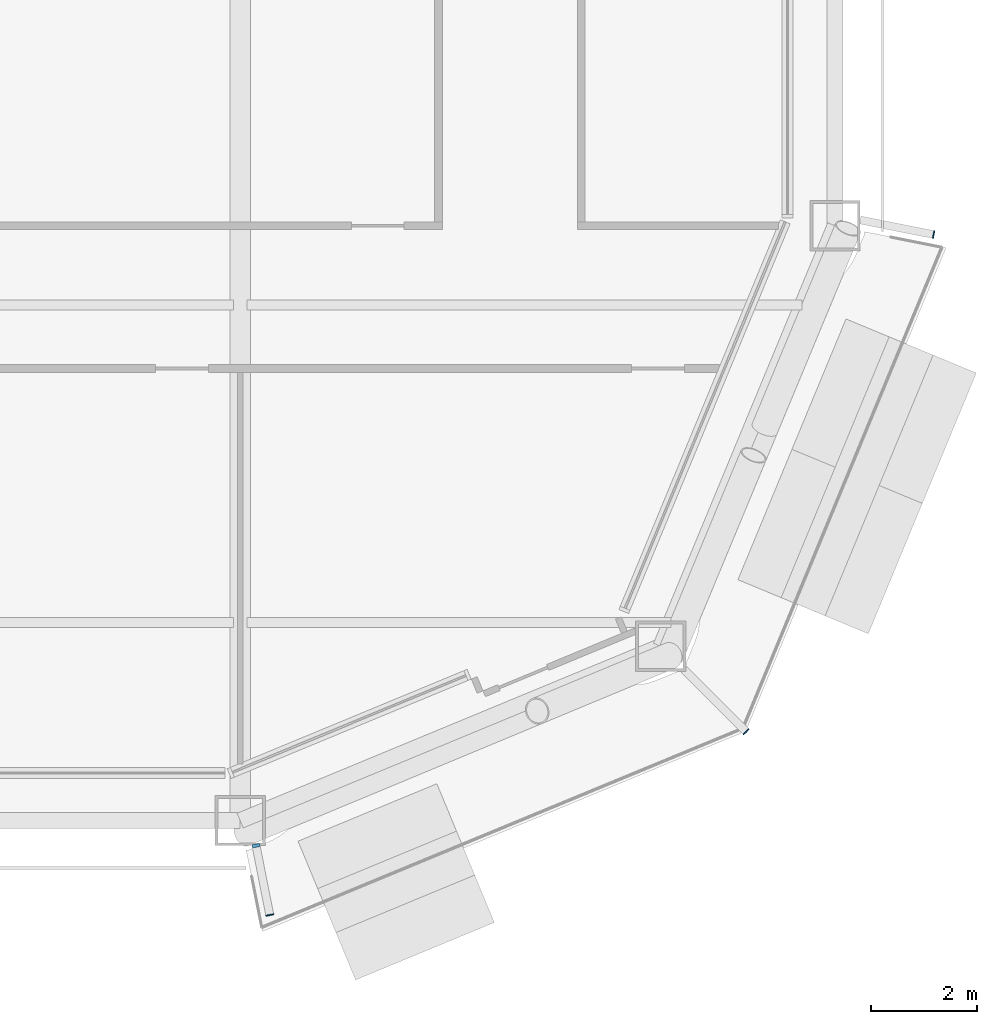
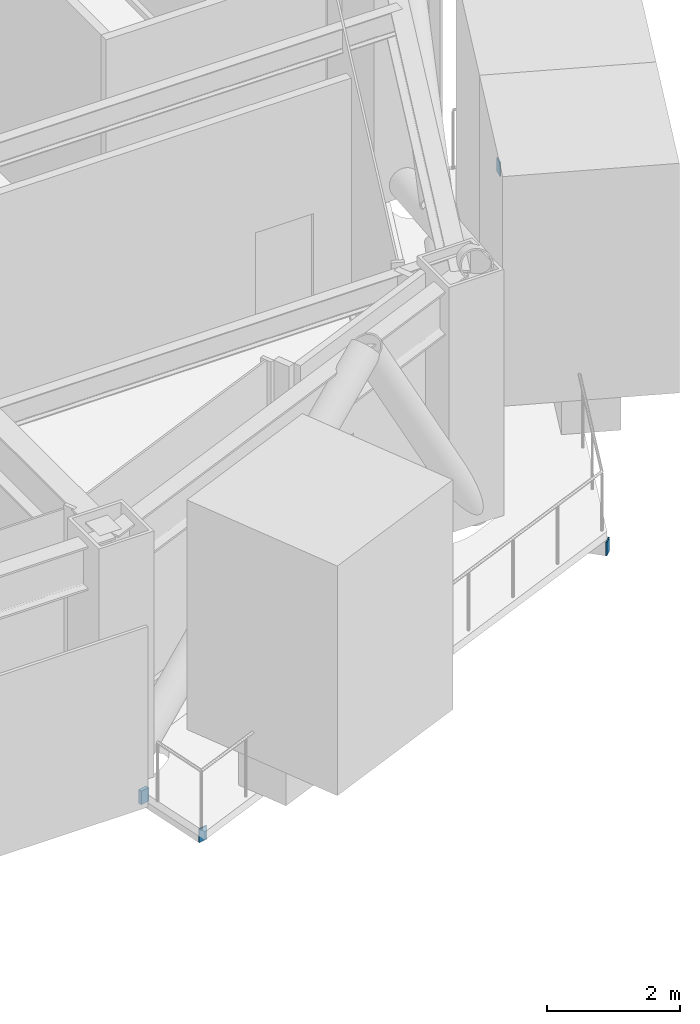
# One storey, part 16 of 23: 4 discrete accessories.
"""IFC4 building model written with IfcOpenShell, lengths in metres."""

from ifc_helpers import new_model, si_unit, direction, frame, origin, origin_2d, place, context, subcontext, project, spatial, rectangle, extrude, material, layer, layer_set, type_object, element, save


model = new_model("IFC4")

# Units and contexts
model_context = context("Model", 3, precision=1e-05, world=origin(), true_north=direction((0.0, 1.0)))
body_context = subcontext(model_context, "Body", "Model", "MODEL_VIEW")
ifc_project = project(units=[si_unit("LENGTHUNIT", "METRE"), si_unit("AREAUNIT", "SQUARE_METRE"), si_unit("VOLUMEUNIT", "CUBIC_METRE"), si_unit("PLANEANGLEUNIT", "RADIAN"), si_unit("MASSUNIT", "GRAM", prefix="KILO")], contexts=[model_context])

# Site, building, storey
site_placement = place(None, origin())
site = spatial("IfcSite", under=ifc_project, at=site_placement, CompositionType="ELEMENT")
building_placement = place(site_placement, origin())
building = spatial("IfcBuilding", under=site, at=building_placement, Name="Siwar Civic Tower", CompositionType="ELEMENT")
storey_placement = place(building_placement, frame((0.0, 0.0, 127.199951171875)))
storey = spatial("IfcBuildingStorey", under=building, at=storey_placement, Name="L27", CompositionType="ELEMENT", Elevation=127.199951171875)

# Discrete accessories
ifc_material_1 = material(Name="Stainless steel 316", Category="steel")
discrete_accessory_type_1 = type_object("IfcDiscreteAccessoryType", Name="ENV-BRACKET", PredefinedType="BRACKET", material=ifc_material_1)
discrete_accessory_placement = place(storey_placement, frame((18.29833984375, -29.72509765625, -0.39990234375), z_axis=(0.0, 0.0, 1.0), x_axis=(0.195090322016, -0.980785280403, 0.0)))
element("IfcDiscreteAccessory", 1, at=discrete_accessory_placement, inside=storey, type_object=discrete_accessory_type_1, Name="Bracket balcony cantilever beam SE 1", PredefinedType="BRACKET", context=body_context, shape_type="SweptSolid", body=[
    extrude(rectangle(XDim=0.06005859375, YDim=0.14990234375, at=origin_2d()), origin(), (0.0, 0.0, 1.0), 0.25),
])
ifc_material_2 = material(Name="Steel S355", Category="steel")
ifc_layer = layer(ifc_material_2, 0.02001953125)
ifc_layer_set = layer_set([ifc_layer], Name="Steel S355")
discrete_accessory_type_2 = type_object("IfcDiscreteAccessoryType", Name="STR-END-CAP", PredefinedType="USERDEFINED", material=ifc_layer_set)
for number, where, z_axis, x_axis, name in (
    (2, (18.559326171875, -31.036376953125, -0.39990234375), (0.0, 0.0, 1.0), (0.195090322204, -0.980785280366, 0.0), "End cap plate Balcony cantilever beam SE 1"),
    (3, (27.5693359375, -27.5693359375, -0.39990234375), (0.0, 0.0, 1.0), (0.707106781187, -0.707106781187, 0.0), "End cap plate Balcony cantilever beam SE 2"),
    (4, (31.114501953125, -18.1669921875, -0.39990234375), (0.0, 0.0, 1.0), (0.980785280424, -0.195090321913, 0.0), "End cap plate Balcony cantilever beam SE 3"),
):
    element("IfcDiscreteAccessory", number, at=place(storey_placement, frame(where, z_axis=z_axis, x_axis=x_axis)), inside=storey, type_object=discrete_accessory_type_2, Name=name, ObjectType="END CAP PLATE", PredefinedType="USERDEFINED", context=body_context, shape_type="SweptSolid", body=[
        extrude(rectangle(XDim=0.02001953125, YDim=0.14990234375, at=origin_2d()), origin(), (0.0, 0.0, 1.0), 0.25),
    ])

save(model, "model.ifc")
